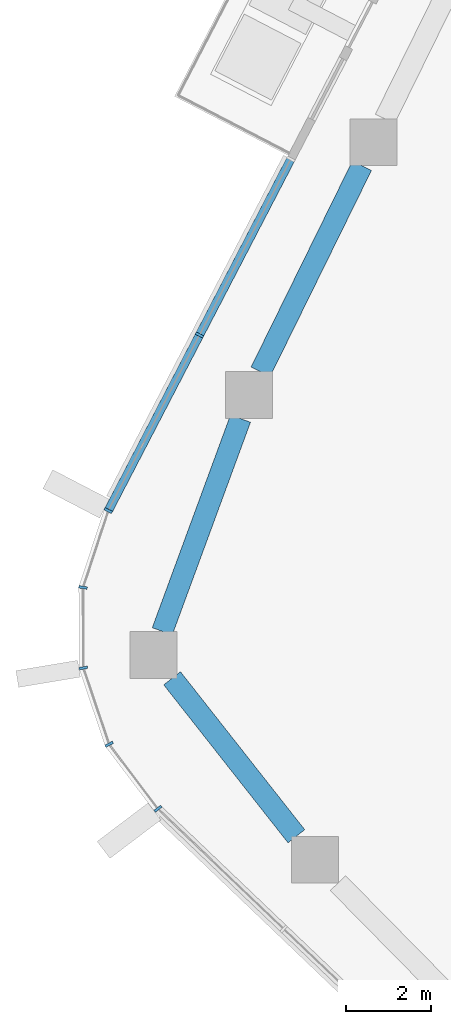
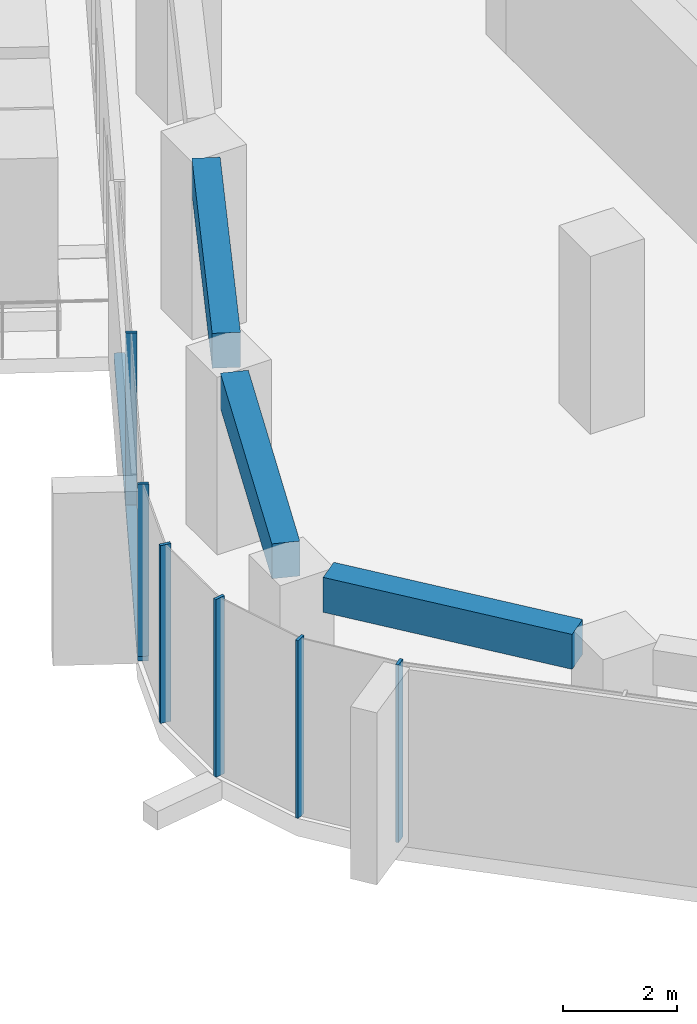
# One storey, part 4 of 21: 7 members, 3 beams, 2 elements without a shape of their own.
"""IFC4 building model written with IfcOpenShell, lengths in metres."""

from ifc_helpers import new_model, si_unit, direction, frame, origin, origin_2d, place, context, subcontext, project, spatial, rectangle, extrude, material, layer, layer_set, material_profile, profile_set, type_object, element, aggregate, save


model = new_model("IFC4")

# Units and contexts
model_context = context("Model", 3, precision=1e-05, world=origin(), true_north=direction((0.0, 1.0)))
body_context = subcontext(model_context, "Body", "Model", "MODEL_VIEW")
ifc_project = project(units=[si_unit("LENGTHUNIT", "METRE"), si_unit("AREAUNIT", "SQUARE_METRE"), si_unit("VOLUMEUNIT", "CUBIC_METRE"), si_unit("PLANEANGLEUNIT", "RADIAN"), si_unit("MASSUNIT", "GRAM", prefix="KILO")], contexts=[model_context])

# Site, building, storey
site_placement = place(None, origin())
site = spatial("IfcSite", under=ifc_project, at=site_placement, CompositionType="ELEMENT")
building_placement = place(site_placement, origin())
building = spatial("IfcBuilding", under=site, at=building_placement, Name="Dongbaek Canopy Tower", CompositionType="ELEMENT")
storey_placement = place(building_placement, frame((0.0, 0.0, 274.800048828125)))
storey = spatial("IfcBuildingStorey", under=building, at=storey_placement, Name="L58", CompositionType="ELEMENT", Elevation=274.800048828125)

# Curtain wall, members
ifc_material_1 = material(Name="Aluminium 6063-T6 pale anodised", Category="aluminium")
ifc_layer = layer(ifc_material_1, 0.199951171875)
ifc_layer_set = layer_set([ifc_layer], Name="CW-1 unitised tower curtain wall")
curtain_wall_type = type_object("IfcCurtainWallType", Name="CW-1 unitised tower curtain wall", PredefinedType="NOTDEFINED", material=ifc_layer_set)
curtain_wall_1_placement = place(storey_placement, origin())
curtain_wall_1 = element("IfcCurtainWall", 1, at=curtain_wall_1_placement, inside=storey, type_object=curtain_wall_type, Name="CW-1 curtain wall F2.1", PredefinedType="NOTDEFINED")
ifc_material_2 = material(Name="Aluminium 6063-T6 pale anodised", Category="aluminium")
ifc_material_profile_1 = material_profile(ifc_material_2, rectangle(XDim=0.199951171875, YDim=0.06005859375, at=origin_2d()), Name="CW-1 mullion 60 x 200")
ifc_profile_set_1 = profile_set([ifc_material_profile_1], Name="Aluminium 6063-T6 pale anodised")
member_type_1 = type_object("IfcMemberType", Name="CW-1 mullion 60 x 200", PredefinedType="MULLION", material=ifc_profile_set_1)
member_1_placement = place(storey_placement, frame((-26.705078125, 1.4873046875, 0.119873046875), z_axis=(0.0, 0.0, 1.0), x_axis=(-0.887462222541, 0.460880465591, 0.0)))
member_1 = element("IfcMember", 2, at=member_1_placement, type_object=member_type_1, Name="CW-1 mullion F2.1.2", PredefinedType="MULLION", context=body_context, shape_type="SweptSolid", body=[
    extrude(rectangle(XDim=0.199951171875, YDim=0.06005859375, at=origin_2d()), origin(), (0.0, 0.0, 1.0), 3.7001953125),
])
member_2_placement = place(storey_placement, frame((-28.845947265625, -2.635009765625, 0.119873046875), z_axis=(0.0, 0.0, 1.0), x_axis=(-0.887462222541, 0.460880465591, 0.0)))
member_2 = element("IfcMember", 3, at=member_2_placement, type_object=member_type_1, Name="CW-1 mullion F2.1.3", PredefinedType="MULLION", context=body_context, shape_type="SweptSolid", body=[
    extrude(rectangle(XDim=0.199951171875, YDim=0.06005859375, at=origin_2d()), origin(), (0.0, 0.0, 1.0), 3.7001953125),
])

curtain_wall_2_placement = place(storey_placement, origin())
curtain_wall_2 = element("IfcCurtainWall", 4, at=curtain_wall_2_placement, inside=storey, type_object=curtain_wall_type, Name="CW-1 curtain wall K3.1", PredefinedType="NOTDEFINED")
member_3_placement = place(storey_placement, frame((-29.439697265625, -4.4384765625, 0.0), z_axis=(0.0, 0.0, 1.0), x_axis=(-0.987688302002, 0.156434708705, 0.0)))
member_3 = element("IfcMember", 5, at=member_3_placement, type_object=member_type_1, Name="CW-1 mullion K3.1.2", PredefinedType="MULLION", context=body_context, shape_type="SweptSolid", body=[
    extrude(rectangle(XDim=0.199951171875, YDim=0.06005859375, at=origin_2d()), origin(), (0.0, 0.0, 1.0), 3.820068359375),
])
member_4_placement = place(storey_placement, frame((-29.432373046875, -6.3291015625, 0.0), z_axis=(0.0, 0.0, 1.0), x_axis=(-0.986446706915, -0.164081974685, 0.0)))
member_4 = element("IfcMember", 6, at=member_4_placement, type_object=member_type_1, Name="CW-1 mullion K3.1.3", PredefinedType="MULLION", context=body_context, shape_type="SweptSolid", body=[
    extrude(rectangle(XDim=0.199951171875, YDim=0.06005859375, at=origin_2d()), origin(), (0.0, 0.0, 1.0), 3.820068359375),
])
member_5_placement = place(storey_placement, frame((-28.8271484375, -8.120361328125, 0.0), z_axis=(0.0, 0.0, 1.0), x_axis=(-0.883864989428, -0.467742108927, 0.0)))
member_5 = element("IfcMember", 7, at=member_5_placement, type_object=member_type_1, Name="CW-1 mullion K3.1.4", PredefinedType="MULLION", context=body_context, shape_type="SweptSolid", body=[
    extrude(rectangle(XDim=0.199951171875, YDim=0.06005859375, at=origin_2d()), origin(), (0.0, 0.0, 1.0), 3.820068359375),
])
member_6_placement = place(storey_placement, frame((-27.681640625, -9.634521484375, 0.0), z_axis=(0.0, 0.0, 1.0), x_axis=(-0.797480818021, -0.603344300453, 0.0)))
member_6 = element("IfcMember", 8, at=member_6_placement, type_object=member_type_1, Name="CW-1 mullion K3.1.5", PredefinedType="MULLION", context=body_context, shape_type="SweptSolid", body=[
    extrude(rectangle(XDim=0.199951171875, YDim=0.06005859375, at=origin_2d()), origin(), (0.0, 0.0, 1.0), 3.820068359375),
])
aggregate(curtain_wall_2, [member_3, member_4, member_5, member_6])

# Member
ifc_material_3 = material(Name="Aluminium 6063-T6 pale anodised", Category="aluminium")
ifc_material_profile_2 = material_profile(ifc_material_3, rectangle(XDim=0.199951171875, YDim=0.1201171875, at=origin_2d()), Name="CW-1 transom 120 x 200")
ifc_profile_set_2 = profile_set([ifc_material_profile_2], Name="Aluminium 6063-T6 pale anodised")
member_type_2 = type_object("IfcMemberType", Name="CW-1 transom 120 x 200", PredefinedType="USERDEFINED", material=ifc_profile_set_2)
member_7_placement = place(storey_placement, frame((-24.560791015625, 5.616455078125, 0.06005859375), z_axis=(-0.460878110928, -0.88746344537, 0.0), x_axis=(0.88746344537, -0.460878110928, 0.0)))
member_7 = element("IfcMember", 9, at=member_7_placement, type_object=member_type_2, Name="CW-1 transom F2.1.1", ObjectType="TRANSOM", PredefinedType="USERDEFINED", context=body_context, shape_type="SweptSolid", body=[
    extrude(rectangle(XDim=0.199951171875, YDim=0.1201171875, at=origin_2d()), origin(), (0.0, 0.0, 1.0), 9.2978515625),
])

aggregate(curtain_wall_1, [member_1, member_2, member_7])

# Beams
ifc_material_4 = material(Name="Concrete C70", Category="concrete")
ifc_material_profile_3 = material_profile(ifc_material_4, rectangle(XDim=0.5, YDim=0.75, at=origin_2d()), Name="RC EDGE BEAM 500x750 C70")
ifc_profile_set_3 = profile_set([ifc_material_profile_3], Name="Concrete C70")
beam_type = type_object("IfcBeamType", Name="RC EDGE BEAM 500x750 C70", PredefinedType="BEAM", material=ifc_profile_set_3)
beam_1_placement = place(storey_placement, frame((-24.429931640625, -10.279052734375, 3.445068359375), z_axis=(-0.618474671525, 0.785804734449, 0.0), x_axis=(-0.785804734449, -0.618474671525, 0.0)))
element("IfcBeam", 10, at=beam_1_placement, inside=storey, type_object=beam_type, Name="EDGEBEAM:L58:07", PredefinedType="BEAM", context=body_context, shape_type="SweptSolid", body=[
    extrude(rectangle(XDim=0.5, YDim=0.75, at=origin_2d()), origin(), (0.0, 0.0, 1.0), 4.719970703125),
])
beam_2_placement = place(storey_placement, frame((-27.57958984375, -5.469970703125, 3.445068359375), z_axis=(0.345180317771, 0.938536386201, 0.0), x_axis=(-0.938536386201, 0.345180317771, 0.0)))
element("IfcBeam", 11, at=beam_2_placement, inside=storey, type_object=beam_type, Name="EDGEBEAM:L58:08", PredefinedType="BEAM", context=body_context, shape_type="SweptSolid", body=[
    extrude(rectangle(XDim=0.5, YDim=0.75, at=origin_2d()), origin(), (0.0, 0.0, 1.0), 5.322998046875),
])
beam_3_placement = place(storey_placement, frame((-25.26953125, 0.6259765625, 3.445068359375), z_axis=(0.44133161815, 0.897344082736, 0.0), x_axis=(-0.897344082736, 0.44133161815, 0.0)))
element("IfcBeam", 12, at=beam_3_placement, inside=storey, type_object=beam_type, Name="EDGEBEAM:L58:09", PredefinedType="BEAM", context=body_context, shape_type="SweptSolid", body=[
    extrude(rectangle(XDim=0.5, YDim=0.75, at=origin_2d()), origin(), (0.0, 0.0, 1.0), 5.38818359375),
])

save(model, "model.ifc")
